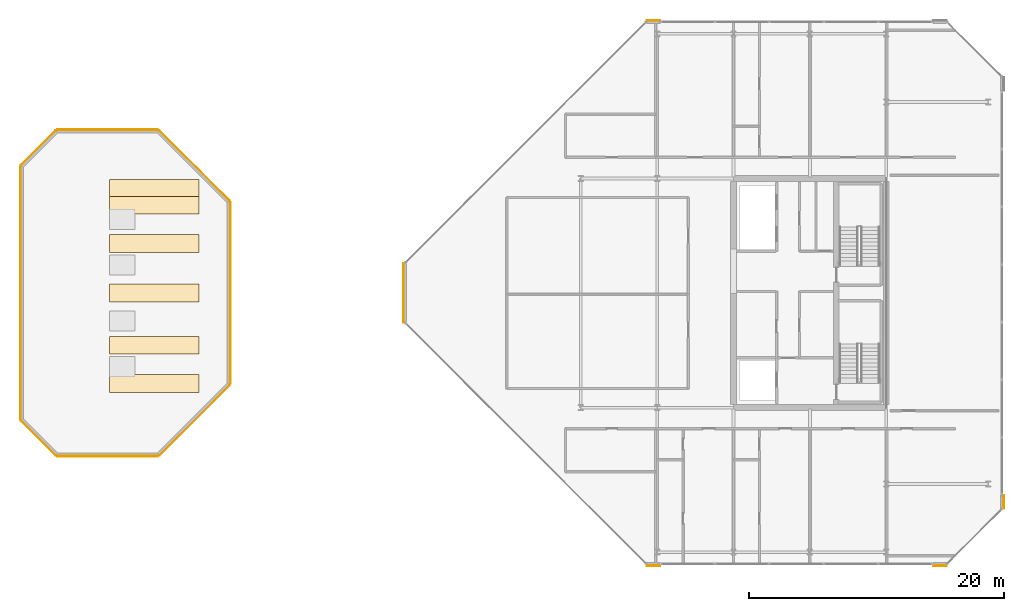
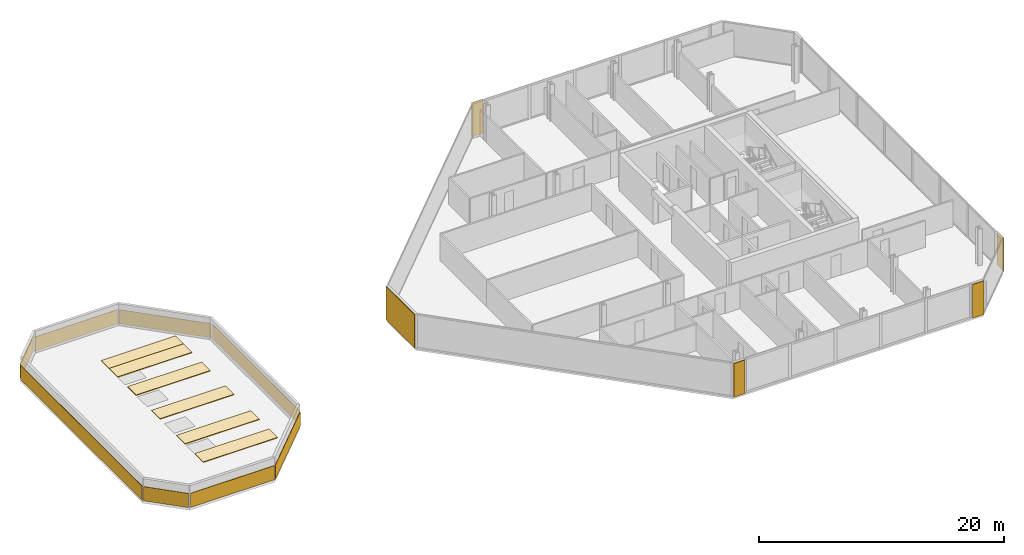
# One storey, part 18 of 19: 19 coverings.
"""IFC4 building model written with IfcOpenShell, lengths in metres."""

from ifc_helpers import new_model, si_unit, direction, frame, origin, origin_2d, place, context, subcontext, project, spatial, rectangle, extrude, material, layer, layer_set, type_object, element, save


model = new_model("IFC4")

# Units and contexts
model_context = context("Model", 3, precision=1e-05, world=origin(), true_north=direction((0.0, 1.0)))
body_context = subcontext(model_context, "Body", "Model", "MODEL_VIEW")
ifc_project = project(units=[si_unit("LENGTHUNIT", "METRE"), si_unit("AREAUNIT", "SQUARE_METRE"), si_unit("VOLUMEUNIT", "CUBIC_METRE"), si_unit("PLANEANGLEUNIT", "RADIAN"), si_unit("MASSUNIT", "GRAM", prefix="KILO")], contexts=[model_context])

# Site, building, storey
site_placement = place(None, origin())
site = spatial("IfcSite", under=ifc_project, at=site_placement, CompositionType="ELEMENT")
building_placement = place(site_placement, origin())
building = spatial("IfcBuilding", under=site, at=building_placement, Name="Tanjung Sevakor Pilgrim Tower", CompositionType="ELEMENT")
storey_placement = place(building_placement, frame((0.0, 0.0, 260.699951171875)))
storey = spatial("IfcBuildingStorey", under=building, at=storey_placement, Name="L73", CompositionType="ELEMENT", Elevation=260.699951171875)

# Coverings
ifc_material_1 = material(Name="Reconstructed Limestone Cladding", Category="masonry")
ifc_layer_1 = layer(ifc_material_1, 0.044921875)
ifc_layer_set_1 = layer_set([ifc_layer_1], Name="COV-CLAD-LIMESTONE")
covering_type_1 = type_object("IfcCoveringType", Name="COV-CLAD-LIMESTONE", PredefinedType="CLADDING", material=ifc_layer_set_1)
for number, where, z_axis, x_axis, name in (
    (1, (71.695556640625, 12.177490234375, 0.02001953125), (0.0, 0.0, 1.0), (1.0, 0.0, 0.0), "L73 Warm Limestone Wall Cladding EW-CRN1-L73-EAST-0-1"),
    (2, (94.204345703125, 12.177490234375, 0.02001953125), (0.0, 0.0, 1.0), (1.0, 0.0, 0.0), "L73 Warm Limestone Wall Cladding EW-CRN2-L73-EAST-0-1"),
    (3, (99.222412109375, 17.195556640625, 0.02001953125), (0.0, 0.0, 1.0), (0.0, 1.0, 0.0), "L73 Warm Limestone Wall Cladding EW-CRN1-L73-EAST-2-1"),
    (4, (71.695556640625, 55.0224609375, 0.02001953125), (0.0, 0.0, 1.0), (-1.0, 0.0, 0.0), "L73 Warm Limestone Wall Cladding EW-CRN2-L73-EAST-4-1"),
):
    element("IfcCovering", number, at=place(storey_placement, frame(where, z_axis=z_axis, x_axis=x_axis)), inside=storey, type_object=covering_type_1, Name=name, PredefinedType="CLADDING", context=body_context, shape_type="SweptSolid", body=[
        extrude(rectangle(XDim=1.06005859375, YDim=0.044921875, at=origin_2d()), origin(), (0.0, 0.0, 1.0), 3.3701171875),
    ])
covering_1_placement = place(storey_placement, frame((52.077392578125, 33.60009765625, 0.02001953125), z_axis=(0.0, 0.0, 1.0), x_axis=(0.0, -1.0, 0.0)))
element("IfcCovering", 5, at=covering_1_placement, inside=storey, type_object=covering_type_1, Name="L73 Warm Limestone Wall Cladding EW-L73-EAST-7", PredefinedType="CLADDING", context=body_context, shape_type="SweptSolid", body=[
    extrude(rectangle(XDim=4.668701171875, YDim=0.044921875, at=origin_2d()), origin(), (0.0, 0.0, 1.0), 3.3701171875),
])
covering_2_placement = place(storey_placement, frame((28.824951171875, 20.777587890625, 0.02001953125), z_axis=(0.0, 0.0, 1.0), x_axis=(1.0, 0.0, 0.0)))
element("IfcCovering", 6, at=covering_2_placement, inside=storey, type_object=covering_type_1, Name="L73 Warm Limestone Wall Cladding PAR-WPK-1", PredefinedType="CLADDING", context=body_context, shape_type="SweptSolid", body=[
    extrude(rectangle(XDim=7.91064453125, YDim=0.044921875, at=origin_2d()), origin(), (0.0, 0.0, 1.0), 1.409912109375),
])
covering_3_placement = place(storey_placement, frame((35.666015625, 23.583984375, 0.02001953125), z_axis=(0.0, 0.0, 1.0), x_axis=(0.707106781187, 0.707106781187, 0.0)))
element("IfcCovering", 7, at=covering_3_placement, inside=storey, type_object=covering_type_1, Name="L73 Warm Limestone Wall Cladding PAR-WPK-2", PredefinedType="CLADDING", context=body_context, shape_type="SweptSolid", body=[
    extrude(rectangle(XDim=7.7802734375, YDim=0.044921875, at=origin_2d()), origin(), (0.0, 0.0, 1.0), 1.409912109375),
])
covering_4_placement = place(storey_placement, frame((38.472412109375, 33.60009765625, 0.02001953125), z_axis=(0.0, 0.0, 1.0), x_axis=(0.0, 1.0, 0.0)))
element("IfcCovering", 8, at=covering_4_placement, inside=storey, type_object=covering_type_1, Name="L73 Warm Limestone Wall Cladding PAR-WPK-3", PredefinedType="CLADDING", context=body_context, shape_type="SweptSolid", body=[
    extrude(rectangle(XDim=14.260498046875, YDim=0.044921875, at=origin_2d()), origin(), (0.0, 0.0, 1.0), 1.409912109375),
])
covering_5_placement = place(storey_placement, frame((35.666015625, 43.615966796875, 0.02001953125), z_axis=(0.0, 0.0, 1.0), x_axis=(-0.707106781187, 0.707106781187, 0.0)))
element("IfcCovering", 9, at=covering_5_placement, inside=storey, type_object=covering_type_1, Name="L73 Warm Limestone Wall Cladding PAR-WPK-4", PredefinedType="CLADDING", context=body_context, shape_type="SweptSolid", body=[
    extrude(rectangle(XDim=7.7802734375, YDim=0.044921875, at=origin_2d()), origin(), (0.0, 0.0, 1.0), 1.409912109375),
])
covering_6_placement = place(storey_placement, frame((28.824951171875, 46.422607421875, 0.02001953125), z_axis=(0.0, 0.0, 1.0), x_axis=(-1.0, 0.0, 0.0)))
element("IfcCovering", 10, at=covering_6_placement, inside=storey, type_object=covering_type_1, Name="L73 Warm Limestone Wall Cladding PAR-WPK-5", PredefinedType="CLADDING", context=body_context, shape_type="SweptSolid", body=[
    extrude(rectangle(XDim=7.91064453125, YDim=0.044921875, at=origin_2d()), origin(), (0.0, 0.0, 1.0), 1.409912109375),
])
covering_7_placement = place(storey_placement, frame((23.384033203125, 45.015869140625, 0.02001953125), z_axis=(0.0, 0.0, 1.0), x_axis=(-0.707106781187, -0.707106781187, 0.0)))
element("IfcCovering", 11, at=covering_7_placement, inside=storey, type_object=covering_type_1, Name="L73 Warm Limestone Wall Cladding PAR-WPK-6", PredefinedType="CLADDING", context=body_context, shape_type="SweptSolid", body=[
    extrude(rectangle(XDim=3.8203125, YDim=0.044921875, at=origin_2d()), origin(), (0.0, 0.0, 1.0), 1.409912109375),
])
covering_8_placement = place(storey_placement, frame((21.9775390625, 33.60009765625, 0.02001953125), z_axis=(0.0, 0.0, 1.0), x_axis=(0.0, -1.0, 0.0)))
element("IfcCovering", 12, at=covering_8_placement, inside=storey, type_object=covering_type_1, Name="L73 Warm Limestone Wall Cladding PAR-WPK-7", PredefinedType="CLADDING", context=body_context, shape_type="SweptSolid", body=[
    extrude(rectangle(XDim=19.860595703125, YDim=0.044921875, at=origin_2d()), origin(), (0.0, 0.0, 1.0), 1.409912109375),
])
covering_9_placement = place(storey_placement, frame((23.384033203125, 22.18408203125, 0.02001953125), z_axis=(0.0, 0.0, 1.0), x_axis=(0.707106781187, -0.707106781187, 0.0)))
element("IfcCovering", 13, at=covering_9_placement, inside=storey, type_object=covering_type_1, Name="L73 Warm Limestone Wall Cladding PAR-WPK-8", PredefinedType="CLADDING", context=body_context, shape_type="SweptSolid", body=[
    extrude(rectangle(XDim=3.8203125, YDim=0.044921875, at=origin_2d()), origin(), (0.0, 0.0, 1.0), 1.409912109375),
])
ifc_material_2 = material(Name="Insulated Stone Ballast Roofing", Category="masonry")
ifc_layer_2 = layer(ifc_material_2, 0.06005859375)
ifc_layer_set_2 = layer_set([ifc_layer_2], Name="COV-ROOF-STONE")
covering_type_2 = type_object("IfcCoveringType", Name="COV-ROOF-STONE", PredefinedType="ROOFING", material=ifc_layer_set_2)
for number, where, z_axis, x_axis, name in (
    (14, (32.5, 26.5, 0.0), (0.0, 0.0, 1.0), (1.0, 0.0, 0.0), "West Peak Stone Ballast Roofing 1"),
    (15, (32.5, 29.5, 0.0), (0.0, 0.0, 1.0), (1.0, 0.0, 0.0), "West Peak Stone Ballast Roofing 2"),
    (16, (32.5, 33.60009765625, 0.0), (0.0, 0.0, 1.0), (1.0, 0.0, 0.0), "West Peak Stone Ballast Roofing 3"),
    (17, (32.5, 37.5, 0.0), (0.0, 0.0, 1.0), (1.0, 0.0, 0.0), "West Peak Stone Ballast Roofing 4"),
    (18, (32.5, 40.5, 0.0), (0.0, 0.0, 1.0), (1.0, 0.0, 0.0), "West Peak Stone Ballast Roofing 5"),
    (19, (32.5, 41.800048828125, 0.0), (0.0, 0.0, 1.0), (1.0, 0.0, 0.0), "West Peak Stone Ballast Roofing 6"),
):
    element("IfcCovering", number, at=place(storey_placement, frame(where, z_axis=z_axis, x_axis=x_axis)), inside=storey, type_object=covering_type_2, Name=name, PredefinedType="ROOFING", context=body_context, shape_type="SweptSolid", body=[
        extrude(rectangle(XDim=7.0, YDim=1.39990234375, at=origin_2d()), origin(), (0.0, 0.0, 1.0), 0.06005859375),
    ])

save(model, "model.ifc")
